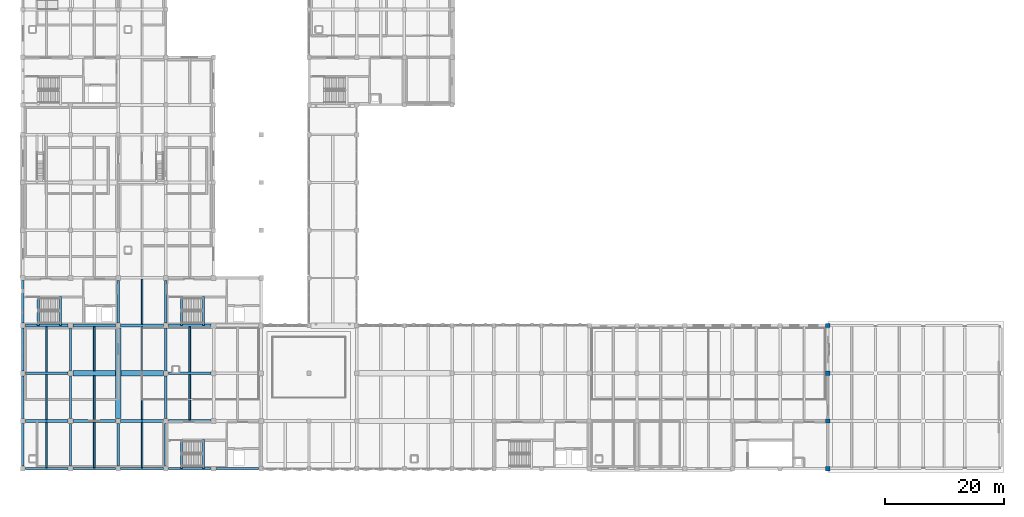
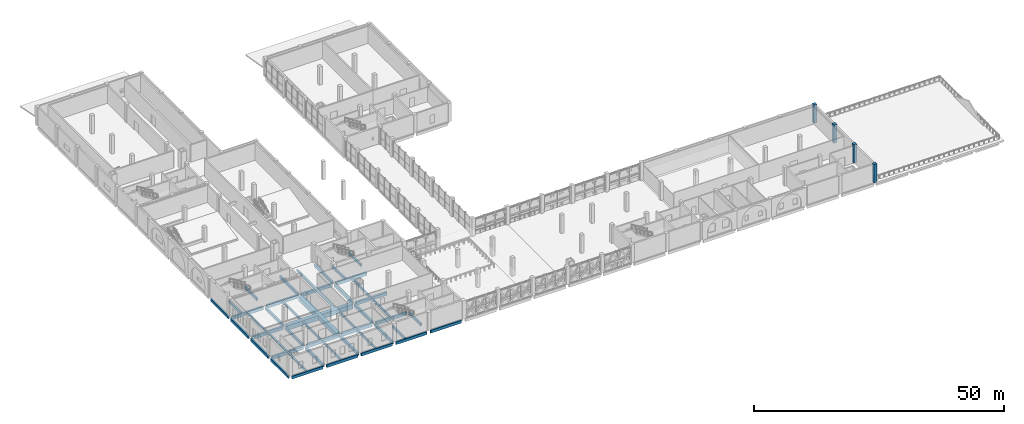
# One storey, part 4 of 45: 48 beams, 4 columns.
"""IFC4 building model written with IfcOpenShell, lengths in metres."""

from ifc_helpers import new_model, si_unit, direction, frame, origin, origin_2d, place, context, subcontext, project, spatial, rectangle, extrude, material, material_profile, profile_set, type_object, element, save


model = new_model("IFC4")

# Units and contexts
model_context = context("Model", 3, precision=1e-05, world=origin(), true_north=direction((0.0, 1.0)))
body_context = subcontext(model_context, "Body", "Model", "MODEL_VIEW")
ifc_project = project(units=[si_unit("LENGTHUNIT", "METRE"), si_unit("AREAUNIT", "SQUARE_METRE"), si_unit("VOLUMEUNIT", "CUBIC_METRE"), si_unit("PLANEANGLEUNIT", "RADIAN"), si_unit("MASSUNIT", "GRAM", prefix="KILO")], contexts=[model_context])

# Site, building, storey
site_placement = place(None, origin())
site = spatial("IfcSite", under=ifc_project, at=site_placement, CompositionType="ELEMENT")
building_placement = place(site_placement, origin())
building = spatial("IfcBuilding", under=site, at=building_placement, Name="Qorikala Patio Media Centre", CompositionType="ELEMENT")
storey_placement = place(building_placement, frame((0.0, 0.0, 9.89990234375)))
storey = spatial("IfcBuildingStorey", under=building, at=storey_placement, Name="L02", CompositionType="ELEMENT", Elevation=9.89990234375)

# Columns
ifc_material = material(Name="Concrete C35/45", Category="concrete")
ifc_material_profile_1 = material_profile(ifc_material, rectangle(XDim=0.699951171875, YDim=0.699951171875, at=origin_2d()), Name="RC 700x700")
ifc_profile_set_1 = profile_set([ifc_material_profile_1], Name="Concrete C35/45")
column_type = type_object("IfcColumnType", Name="RC-COL-700-EXT", PredefinedType="COLUMN", material=ifc_profile_set_1)
for number, where, z_axis, x_axis, name in (
    (1, (138.0, 3.0, 0.0), (0.0, 0.0, 1.0), (1.0, 0.0, 0.0), "L02 Column (138,3)"),
    (2, (138.0, 11.0, 0.0), (0.0, 0.0, 1.0), (1.0, 0.0, 0.0), "L02 Column (138,11)"),
    (3, (138.0, 19.0, 0.0), (0.0, 0.0, 1.0), (1.0, 0.0, 0.0), "L02 Column (138,19)"),
    (4, (138.0, 27.0, 0.0), (0.0, 0.0, 1.0), (1.0, 0.0, 0.0), "L02 Column (138,27)"),
):
    element("IfcColumn", number, at=place(storey_placement, frame(where, z_axis=z_axis, x_axis=x_axis)), inside=storey, type_object=column_type, Name=name, PredefinedType="COLUMN", context=body_context, shape_type="SweptSolid", body=[
        extrude(rectangle(XDim=0.699951171875, YDim=0.699951171875, at=origin_2d()), origin(), (0.0, 0.0, 1.0), 4.5),
    ])

# Beams
ifc_material_profile_2 = material_profile(ifc_material, rectangle(XDim=0.35009765625, YDim=0.60009765625, at=origin_2d()), Name="RC 350x600")
ifc_profile_set_2 = profile_set([ifc_material_profile_2], Name="Concrete C35/45")
beam_type_1 = type_object("IfcBeamType", Name="BM-G350X600", PredefinedType="BEAM", material=ifc_profile_set_2)
beam_1_placement = place(storey_placement, frame((29.60009765625, 3.0, -0.2998046875), z_axis=(0.0, 1.0, 0.0), x_axis=(-1.0, 0.0, 0.0)))
element("IfcBeam", 5, at=beam_1_placement, inside=storey, type_object=beam_type_1, Name="L02 ST-1 Well Trimmer Beam", PredefinedType="BEAM", context=body_context, shape_type="SweptSolid", body=[
    extrude(rectangle(XDim=0.35009765625, YDim=0.60009765625, at=origin_2d()), origin(), (0.0, 0.0, 1.0), 4.8798828125),
])
beam_2_placement = place(storey_placement, frame((33.330078125, 3.02001953125, 1.75), z_axis=(0.0, 1.0, 0.0), x_axis=(-1.0, 0.0, 0.0)))
element("IfcBeam", 6, at=beam_2_placement, inside=storey, type_object=beam_type_1, Name="L02 ST-1 Landing Beam 1", PredefinedType="BEAM", context=body_context, shape_type="SweptSolid", body=[
    extrude(rectangle(XDim=0.35009765625, YDim=0.60009765625, at=origin_2d()), origin(), (0.0, 0.0, 1.0), 4.85986328125),
])
beam_3_placement = place(storey_placement, frame((5.60009765625, 27.0, -0.2998046875), z_axis=(0.0, 1.0, 0.0), x_axis=(-1.0, 0.0, 0.0)))
element("IfcBeam", 7, at=beam_3_placement, inside=storey, type_object=beam_type_1, Name="L02 ST-2 Well Trimmer Beam", PredefinedType="BEAM", context=body_context, shape_type="SweptSolid", body=[
    extrude(rectangle(XDim=0.35009765625, YDim=0.60009765625, at=origin_2d()), origin(), (0.0, 0.0, 1.0), 4.8798828125),
])
beam_4_placement = place(storey_placement, frame((9.330078125, 27.02001953125, 1.75), z_axis=(0.0, 1.0, 0.0), x_axis=(-1.0, 0.0, 0.0)))
element("IfcBeam", 8, at=beam_4_placement, inside=storey, type_object=beam_type_1, Name="L02 ST-2 Landing Beam 1", PredefinedType="BEAM", context=body_context, shape_type="SweptSolid", body=[
    extrude(rectangle(XDim=0.35009765625, YDim=0.60009765625, at=origin_2d()), origin(), (0.0, 0.0, 1.0), 4.85986328125),
])
beam_5_placement = place(storey_placement, frame((29.60009765625, 27.0, -0.2998046875), z_axis=(0.0, 1.0, 0.0), x_axis=(-1.0, 0.0, 0.0)))
element("IfcBeam", 9, at=beam_5_placement, inside=storey, type_object=beam_type_1, Name="L02 ST-5 Well Trimmer Beam", PredefinedType="BEAM", context=body_context, shape_type="SweptSolid", body=[
    extrude(rectangle(XDim=0.35009765625, YDim=0.60009765625, at=origin_2d()), origin(), (0.0, 0.0, 1.0), 4.8798828125),
])
beam_6_placement = place(storey_placement, frame((33.330078125, 27.02001953125, 1.75), z_axis=(0.0, 1.0, 0.0), x_axis=(-1.0, 0.0, 0.0)))
element("IfcBeam", 10, at=beam_6_placement, inside=storey, type_object=beam_type_1, Name="L02 ST-5 Landing Beam 1", PredefinedType="BEAM", context=body_context, shape_type="SweptSolid", body=[
    extrude(rectangle(XDim=0.35009765625, YDim=0.60009765625, at=origin_2d()), origin(), (0.0, 0.0, 1.0), 4.85986328125),
])
ifc_material_profile_3 = material_profile(ifc_material, rectangle(XDim=0.39990234375, YDim=0.699951171875, at=origin_2d()), Name="RC 400x700")
ifc_profile_set_3 = profile_set([ifc_material_profile_3], Name="Concrete C35/45")
beam_type_2 = type_object("IfcBeamType", Name="BM-G400X700", PredefinedType="BEAM", material=ifc_profile_set_3)
for number, where, z_axis, x_axis, name in (
    (11, (11.0, 3.425048828125, -0.64990234375), (0.0, 1.0, 0.0), (-1.0, 0.0, 0.0), "L02 Grid X=11 Beam 0901"),
    (12, (11.0, 11.425048828125, -0.64990234375), (0.0, 1.0, 0.0), (-1.0, 0.0, 0.0), "L02 Grid X=11 Beam 0902"),
    (13, (11.0, 19.425048828125, -0.64990234375), (0.0, 1.0, 0.0), (-1.0, 0.0, 0.0), "L02 Grid X=11 Beam 0903"),
    (14, (19.0, 3.425048828125, -0.64990234375), (0.0, 1.0, 0.0), (-1.0, 0.0, 0.0), "L02 Grid X=19 Beam 0912"),
    (15, (19.0, 27.425048828125, -0.64990234375), (0.0, 1.0, 0.0), (-1.0, 0.0, 0.0), "L02 Grid X=19 Beam 0914"),
    (16, (27.0, 3.425048828125, -0.64990234375), (0.0, 1.0, 0.0), (-1.0, 0.0, 0.0), "L02 Grid X=27 Beam 0922"),
    (17, (27.0, 11.425048828125, -0.64990234375), (0.0, 1.0, 0.0), (-1.0, 0.0, 0.0), "L02 Grid X=27 Beam 0923"),
    (18, (27.0, 19.425048828125, -0.64990234375), (0.0, 1.0, 0.0), (-1.0, 0.0, 0.0), "L02 Grid X=27 Beam 0924"),
    (19, (27.0, 27.425048828125, -0.64990234375), (0.0, 1.0, 0.0), (-1.0, 0.0, 0.0), "L02 Grid X=27 Beam 0925"),
):
    element("IfcBeam", number, at=place(storey_placement, frame(where, z_axis=z_axis, x_axis=x_axis)), inside=storey, type_object=beam_type_2, Name=name, PredefinedType="BEAM", context=body_context, shape_type="SweptSolid", body=[
        extrude(rectangle(XDim=0.39990234375, YDim=0.699951171875, at=origin_2d()), origin(), (0.0, 0.0, 1.0), 7.14990234375),
    ])
ifc_material_profile_4 = material_profile(ifc_material, rectangle(XDim=0.449951171875, YDim=0.75, at=origin_2d()), Name="RC 450x750")
ifc_profile_set_4 = profile_set([ifc_material_profile_4], Name="Concrete C35/45")
beam_type_3 = type_object("IfcBeamType", Name="BM-G450X750", PredefinedType="BEAM", material=ifc_profile_set_4)
for number, where, z_axis, x_axis, name in (
    (20, (3.425048828125, 11.0, -0.6748046875), (1.0, 0.0, 0.0), (0.0, 1.0, 0.0), "L02 Grid 11 Beam 0776"),
    (21, (11.425048828125, 11.0, -0.6748046875), (1.0, 0.0, 0.0), (0.0, 1.0, 0.0), "L02 Grid 11 Beam 0777"),
    (22, (19.425048828125, 11.0, -0.6748046875), (1.0, 0.0, 0.0), (0.0, 1.0, 0.0), "L02 Grid 11 Beam 0778"),
    (23, (27.425048828125, 11.0, -0.6748046875), (1.0, 0.0, 0.0), (0.0, 1.0, 0.0), "L02 Grid 11 Beam 0779"),
    (24, (3.425048828125, 19.0, -0.6748046875), (1.0, 0.0, 0.0), (0.0, 1.0, 0.0), "L02 Grid 19 Beam 0796"),
    (25, (27.425048828125, 19.0, -0.6748046875), (1.0, 0.0, 0.0), (0.0, 1.0, 0.0), "L02 Grid 19 Beam 0798"),
    (26, (3.425048828125, 27.0, -0.6748046875), (1.0, 0.0, 0.0), (0.0, 1.0, 0.0), "L02 Grid 27 Beam 0813"),
    (27, (11.425048828125, 27.0, -0.6748046875), (1.0, 0.0, 0.0), (0.0, 1.0, 0.0), "L02 Grid 27 Beam 0814"),
    (28, (19.425048828125, 27.0, -0.6748046875), (1.0, 0.0, 0.0), (0.0, 1.0, 0.0), "L02 Grid 27 Beam 0815"),
    (29, (27.425048828125, 27.0, -0.6748046875), (1.0, 0.0, 0.0), (0.0, 1.0, 0.0), "L02 Grid 27 Beam 0816"),
):
    element("IfcBeam", number, at=place(storey_placement, frame(where, z_axis=z_axis, x_axis=x_axis)), inside=storey, type_object=beam_type_3, Name=name, PredefinedType="BEAM", context=body_context, shape_type="SweptSolid", body=[
        extrude(rectangle(XDim=0.449951171875, YDim=0.75, at=origin_2d()), origin(), (0.0, 0.0, 1.0), 7.14990234375),
    ])
ifc_material_profile_5 = material_profile(ifc_material, rectangle(XDim=0.89990234375, YDim=1.14990234375, at=origin_2d()), Name="RC 900x1150")
ifc_profile_set_5 = profile_set([ifc_material_profile_5], Name="Concrete C35/45")
beam_type_4 = type_object("IfcBeamType", Name="BM-TR900X1150", PredefinedType="BEAM", material=ifc_profile_set_5)
for number, where, z_axis, x_axis, name in (
    (30, (11.425048828125, 19.0, -0.875), (1.0, 0.0, 0.0), (0.0, 1.0, 0.0), "L02 Grid 19 Beam 0797"),
    (31, (19.0, 11.425048828125, -0.875), (0.0, 1.0, 0.0), (-1.0, 0.0, 0.0), "L02 Grid X=19 Transfer Girder 0913"),
):
    element("IfcBeam", number, at=place(storey_placement, frame(where, z_axis=z_axis, x_axis=x_axis)), inside=storey, type_object=beam_type_4, Name=name, PredefinedType="BEAM", context=body_context, shape_type="SweptSolid", body=[
        extrude(rectangle(XDim=0.89990234375, YDim=1.14990234375, at=origin_2d()), origin(), (0.0, 0.0, 1.0), 15.14990234375),
    ])
ifc_material_profile_6 = material_profile(ifc_material, rectangle(XDim=0.300048828125, YDim=0.550048828125, at=origin_2d()), Name="RC 300x550")
ifc_profile_set_6 = profile_set([ifc_material_profile_6], Name="Concrete C35/45")
beam_type_5 = type_object("IfcBeamType", Name="JS-300X550", PredefinedType="JOIST", material=ifc_profile_set_6)
beam_7_placement = place(storey_placement, frame((7.0, 3.175048828125, -0.574951171875), z_axis=(0.0, 1.0, 0.0), x_axis=(-1.0, 0.0, 0.0)))
element("IfcBeam", 32, at=beam_7_placement, inside=storey, type_object=beam_type_5, Name="L02 Secondary Joist 1012", PredefinedType="JOIST", context=body_context, shape_type="SweptSolid", body=[
    extrude(rectangle(XDim=0.300048828125, YDim=0.550048828125, at=origin_2d()), origin(), (0.0, 0.0, 1.0), 7.599853515625),
])
for number, where, z_axis, x_axis, name in (
    (33, (7.0, 11.22509765625, -0.574951171875), (0.0, 1.0, 0.0), (-1.0, 0.0, 0.0), "L02 Secondary Joist 1013"),
    (34, (7.0, 19.22509765625, -0.574951171875), (0.0, 1.0, 0.0), (-1.0, 0.0, 0.0), "L02 Secondary Joist 1014"),
):
    element("IfcBeam", number, at=place(storey_placement, frame(where, z_axis=z_axis, x_axis=x_axis)), inside=storey, type_object=beam_type_5, Name=name, PredefinedType="JOIST", context=body_context, shape_type="SweptSolid", body=[
        extrude(rectangle(XDim=0.300048828125, YDim=0.550048828125, at=origin_2d()), origin(), (0.0, 0.0, 1.0), 7.5498046875),
    ])
beam_8_placement = place(storey_placement, frame((15.0, 3.175048828125, -0.574951171875), z_axis=(0.0, 1.0, 0.0), x_axis=(-1.0, 0.0, 0.0)))
element("IfcBeam", 35, at=beam_8_placement, inside=storey, type_object=beam_type_5, Name="L02 Secondary Joist 1022", PredefinedType="JOIST", context=body_context, shape_type="SweptSolid", body=[
    extrude(rectangle(XDim=0.300048828125, YDim=0.550048828125, at=origin_2d()), origin(), (0.0, 0.0, 1.0), 7.599853515625),
])
for number, where, z_axis, x_axis, name in (
    (36, (15.0, 11.22509765625, -0.574951171875), (0.0, 1.0, 0.0), (-1.0, 0.0, 0.0), "L02 Secondary Joist 1023"),
    (37, (15.0, 19.449951171875, -0.574951171875), (0.0, 1.0, 0.0), (-1.0, 0.0, 0.0), "L02 Secondary Joist 1024"),
):
    element("IfcBeam", number, at=place(storey_placement, frame(where, z_axis=z_axis, x_axis=x_axis)), inside=storey, type_object=beam_type_5, Name=name, PredefinedType="JOIST", context=body_context, shape_type="SweptSolid", body=[
        extrude(rectangle(XDim=0.300048828125, YDim=0.550048828125, at=origin_2d()), origin(), (0.0, 0.0, 1.0), 7.324951171875),
    ])
beam_9_placement = place(storey_placement, frame((23.0, 3.175048828125, -0.574951171875), z_axis=(0.0, 1.0, 0.0), x_axis=(-1.0, 0.0, 0.0)))
element("IfcBeam", 38, at=beam_9_placement, inside=storey, type_object=beam_type_5, Name="L02 Secondary Joist 1032", PredefinedType="JOIST", context=body_context, shape_type="SweptSolid", body=[
    extrude(rectangle(XDim=0.300048828125, YDim=0.550048828125, at=origin_2d()), origin(), (0.0, 0.0, 1.0), 7.599853515625),
])
for number, where, z_axis, x_axis, name in (
    (39, (23.0, 11.22509765625, -0.574951171875), (0.0, 1.0, 0.0), (-1.0, 0.0, 0.0), "L02 Secondary Joist 1033"),
    (40, (23.0, 19.449951171875, -0.574951171875), (0.0, 1.0, 0.0), (-1.0, 0.0, 0.0), "L02 Secondary Joist 1034"),
):
    element("IfcBeam", number, at=place(storey_placement, frame(where, z_axis=z_axis, x_axis=x_axis)), inside=storey, type_object=beam_type_5, Name=name, PredefinedType="JOIST", context=body_context, shape_type="SweptSolid", body=[
        extrude(rectangle(XDim=0.300048828125, YDim=0.550048828125, at=origin_2d()), origin(), (0.0, 0.0, 1.0), 7.324951171875),
    ])
for number, where, z_axis, x_axis, name in (
    (41, (23.0, 27.22509765625, -0.574951171875), (0.0, 1.0, 0.0), (-1.0, 0.0, 0.0), "L02 Secondary Joist 1035"),
    (42, (31.0, 11.22509765625, -0.574951171875), (0.0, 1.0, 0.0), (-1.0, 0.0, 0.0), "L02 Secondary Joist 1044"),
    (43, (31.0, 19.22509765625, -0.574951171875), (0.0, 1.0, 0.0), (-1.0, 0.0, 0.0), "L02 Secondary Joist 1045"),
):
    element("IfcBeam", number, at=place(storey_placement, frame(where, z_axis=z_axis, x_axis=x_axis)), inside=storey, type_object=beam_type_5, Name=name, PredefinedType="JOIST", context=body_context, shape_type="SweptSolid", body=[
        extrude(rectangle(XDim=0.300048828125, YDim=0.550048828125, at=origin_2d()), origin(), (0.0, 0.0, 1.0), 7.5498046875),
    ])
ifc_material_profile_7 = material_profile(ifc_material, rectangle(XDim=0.35009765625, YDim=0.679931640625, at=origin_2d()), Name="RC 350x680")
ifc_profile_set_7 = profile_set([ifc_material_profile_7], Name="Concrete C35/45")
beam_type_6 = type_object("IfcBeamType", Name="SP-350X680", PredefinedType="SPANDREL", material=ifc_profile_set_7)
for number, where, z_axis, x_axis, name in (
    (44, (3.425048828125, 3.0, -0.639892578125), (1.0, 0.0, 0.0), (0.0, 1.0, 0.0), "L02 Grid 3 Beam 0755"),
    (45, (11.425048828125, 3.0, -0.639892578125), (1.0, 0.0, 0.0), (0.0, 1.0, 0.0), "L02 Grid 3 Beam 0756"),
    (46, (19.425048828125, 3.0, -0.639892578125), (1.0, 0.0, 0.0), (0.0, 1.0, 0.0), "L02 Grid 3 Beam 0757"),
    (47, (27.425048828125, 3.0, -0.639892578125), (1.0, 0.0, 0.0), (0.0, 1.0, 0.0), "L02 Grid 3 Beam 0758"),
    (48, (35.425048828125, 3.0, -0.639892578125), (1.0, 0.0, 0.0), (0.0, 1.0, 0.0), "L02 Grid 3 Beam 0759"),
    (49, (3.0, 3.425048828125, -0.639892578125), (0.0, 1.0, 0.0), (-1.0, 0.0, 0.0), "L02 Grid X=3 Beam 0888"),
    (50, (3.0, 11.425048828125, -0.639892578125), (0.0, 1.0, 0.0), (-1.0, 0.0, 0.0), "L02 Grid X=3 Beam 0889"),
    (51, (3.0, 19.425048828125, -0.639892578125), (0.0, 1.0, 0.0), (-1.0, 0.0, 0.0), "L02 Grid X=3 Beam 0890"),
    (52, (3.0, 27.425048828125, -0.639892578125), (0.0, 1.0, 0.0), (-1.0, 0.0, 0.0), "L02 Grid X=3 Beam 0891"),
):
    element("IfcBeam", number, at=place(storey_placement, frame(where, z_axis=z_axis, x_axis=x_axis)), inside=storey, type_object=beam_type_6, Name=name, PredefinedType="SPANDREL", context=body_context, shape_type="SweptSolid", body=[
        extrude(rectangle(XDim=0.35009765625, YDim=0.679931640625, at=origin_2d()), origin(), (0.0, 0.0, 1.0), 7.14990234375),
    ])

save(model, "model.ifc")
